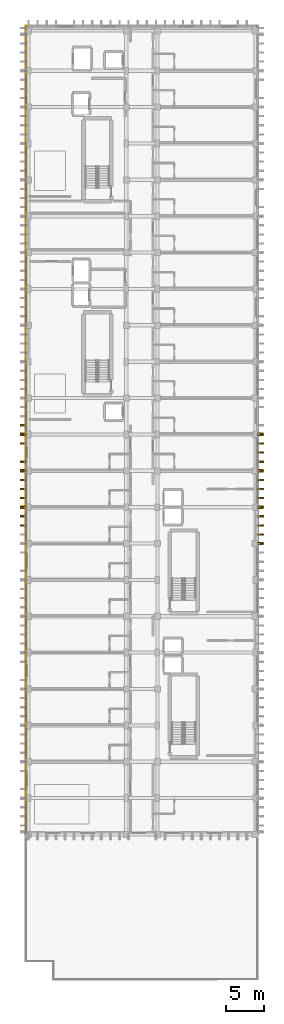
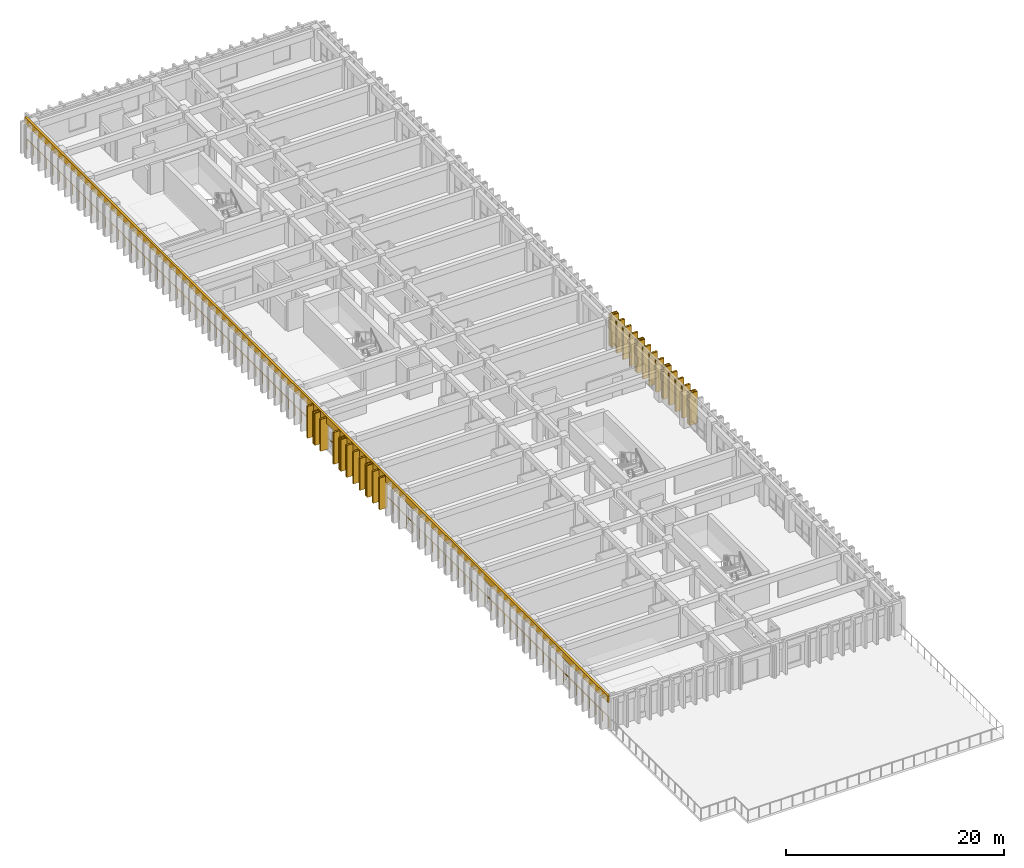
# One storey, part 76 of 82: 25 coverings, 24 shading devices, 1 railing.
"""IFC4 building model written with IfcOpenShell, lengths in metres."""

from ifc_helpers import new_model, si_unit, direction, frame, origin, origin_2d, place, context, subcontext, project, spatial, rectangle, circle, extrude, material, layer, layer_set, type_object, element, save


model = new_model("IFC4")

# Units and contexts
model_context = context("Model", 3, precision=1e-05, world=origin(), true_north=direction((0.0, 1.0)))
body_context = subcontext(model_context, "Body", "Model", "MODEL_VIEW")
ifc_project = project(units=[si_unit("LENGTHUNIT", "METRE"), si_unit("AREAUNIT", "SQUARE_METRE"), si_unit("VOLUMEUNIT", "CUBIC_METRE"), si_unit("PLANEANGLEUNIT", "RADIAN"), si_unit("MASSUNIT", "GRAM", prefix="KILO")], contexts=[model_context])

# Site, building, storey
site_placement = place(None, origin())
site = spatial("IfcSite", under=ifc_project, at=site_placement, CompositionType="ELEMENT")
building_placement = place(site_placement, origin())
building = spatial("IfcBuilding", under=site, at=building_placement, Name="Nakhvara Creek Congress Hotel", CompositionType="ELEMENT")
storey_placement = place(building_placement, frame((0.0, 0.0, 21.0)))
storey = spatial("IfcBuildingStorey", under=building, at=storey_placement, Name="L04", CompositionType="ELEMENT", Elevation=21.0)

# Coverings
ifc_material_1 = material(Name="Honed pale Omani limestone architectural cladding", Category="masonry")
ifc_layer_1 = layer(ifc_material_1, 0.219970703125)
ifc_layer_set_1 = layer_set([ifc_layer_1], Name="Honed pale Omani limestone architectural cladding")
covering_type_1 = type_object("IfcCoveringType", Name="COV-FIN-850", PredefinedType="CLADDING", material=ifc_layer_set_1)
covering_1_placement = place(storey_placement, frame((180.054931640625, 57.60009765625, 0.0), z_axis=(0.0, 0.0, 1.0), x_axis=(0.0, 1.0, 0.0)))
element("IfcCovering", 1, at=covering_1_placement, inside=storey, type_object=covering_type_1, Name="Pale Limestone Fin Cladding CF01-1262", PredefinedType="CLADDING", context=body_context, shape_type="SweptSolid", body=[
    extrude(rectangle(XDim=0.43994140625, YDim=0.85009765625, at=origin_2d()), origin(), (0.0, 0.0, 1.0), 3.56005859375),
])
for number, where, z_axis, x_axis, name in (
    (2, (180.054931640625, 58.800048828125, 0.0), (0.0, 0.0, 1.0), (0.0, 1.0, 0.0), "Pale Limestone Fin Cladding CF01-1264"),
    (3, (180.054931640625, 60.0, 0.0), (0.0, 0.0, 1.0), (0.0, 1.0, 0.0), "Pale Limestone Fin Cladding CF01-1266"),
    (4, (148.7451171875, 60.0, 0.0), (0.0, 0.0, 1.0), (0.0, 1.0, 0.0), "Pale Limestone Fin Cladding CF01-1267"),
    (5, (180.054931640625, 61.199951171875, 0.0), (0.0, 0.0, 1.0), (0.0, 1.0, 0.0), "Pale Limestone Fin Cladding CF01-1268"),
    (6, (148.7451171875, 61.199951171875, 0.0), (0.0, 0.0, 1.0), (0.0, 1.0, 0.0), "Pale Limestone Fin Cladding CF01-1269"),
):
    element("IfcCovering", number, at=place(storey_placement, frame(where, z_axis=z_axis, x_axis=x_axis)), inside=storey, type_object=covering_type_1, Name=name, PredefinedType="CLADDING", context=body_context, shape_type="SweptSolid", body=[
        extrude(rectangle(XDim=0.219970703125, YDim=0.85009765625, at=origin_2d()), origin(), (0.0, 0.0, 1.0), 3.56005859375),
    ])
for number, where, z_axis, x_axis, name in (
    (7, (180.054931640625, 62.39990234375, 0.0), (0.0, 0.0, 1.0), (0.0, 1.0, 0.0), "Pale Limestone Fin Cladding CF01-1270"),
    (8, (148.7451171875, 62.39990234375, 0.0), (0.0, 0.0, 1.0), (0.0, 1.0, 0.0), "Pale Limestone Fin Cladding CF01-1271"),
):
    element("IfcCovering", number, at=place(storey_placement, frame(where, z_axis=z_axis, x_axis=x_axis)), inside=storey, type_object=covering_type_1, Name=name, PredefinedType="CLADDING", context=body_context, shape_type="SweptSolid", body=[
        extrude(rectangle(XDim=0.43994140625, YDim=0.85009765625, at=origin_2d()), origin(), (0.0, 0.0, 1.0), 3.56005859375),
    ])
for number, where, z_axis, x_axis, name in (
    (9, (180.054931640625, 63.60009765625, 0.0), (0.0, 0.0, 1.0), (0.0, 1.0, 0.0), "Pale Limestone Fin Cladding CF01-1272"),
    (10, (148.7451171875, 63.60009765625, 0.0), (0.0, 0.0, 1.0), (0.0, 1.0, 0.0), "Pale Limestone Fin Cladding CF01-1273"),
    (11, (180.054931640625, 64.800048828125, 0.0), (0.0, 0.0, 1.0), (0.0, 1.0, 0.0), "Pale Limestone Fin Cladding CF01-1274"),
    (12, (148.7451171875, 64.800048828125, 0.0), (0.0, 0.0, 1.0), (0.0, 1.0, 0.0), "Pale Limestone Fin Cladding CF01-1275"),
    (13, (180.054931640625, 66.0, 0.0), (0.0, 0.0, 1.0), (0.0, 1.0, 0.0), "Pale Limestone Fin Cladding CF01-1276"),
    (14, (148.7451171875, 66.0, 0.0), (0.0, 0.0, 1.0), (0.0, 1.0, 0.0), "Pale Limestone Fin Cladding CF01-1277"),
):
    element("IfcCovering", number, at=place(storey_placement, frame(where, z_axis=z_axis, x_axis=x_axis)), inside=storey, type_object=covering_type_1, Name=name, PredefinedType="CLADDING", context=body_context, shape_type="SweptSolid", body=[
        extrude(rectangle(XDim=0.219970703125, YDim=0.85009765625, at=origin_2d()), origin(), (0.0, 0.0, 1.0), 3.56005859375),
    ])
for number, where, z_axis, x_axis, name in (
    (15, (180.054931640625, 67.199951171875, 0.0), (0.0, 0.0, 1.0), (0.0, 1.0, 0.0), "Pale Limestone Fin Cladding CF01-1278"),
    (16, (148.7451171875, 67.199951171875, 0.0), (0.0, 0.0, 1.0), (0.0, 1.0, 0.0), "Pale Limestone Fin Cladding CF01-1279"),
):
    element("IfcCovering", number, at=place(storey_placement, frame(where, z_axis=z_axis, x_axis=x_axis)), inside=storey, type_object=covering_type_1, Name=name, PredefinedType="CLADDING", context=body_context, shape_type="SweptSolid", body=[
        extrude(rectangle(XDim=0.43994140625, YDim=0.85009765625, at=origin_2d()), origin(), (0.0, 0.0, 1.0), 3.56005859375),
    ])
for number, where, z_axis, x_axis, name in (
    (17, (180.054931640625, 68.39990234375, 0.0), (0.0, 0.0, 1.0), (0.0, 1.0, 0.0), "Pale Limestone Fin Cladding CF01-1280"),
    (18, (148.7451171875, 68.39990234375, 0.0), (0.0, 0.0, 1.0), (0.0, 1.0, 0.0), "Pale Limestone Fin Cladding CF01-1281"),
    (19, (180.054931640625, 69.60009765625, 0.0), (0.0, 0.0, 1.0), (0.0, 1.0, 0.0), "Pale Limestone Fin Cladding CF01-1282"),
    (20, (180.054931640625, 70.800048828125, 0.0), (0.0, 0.0, 1.0), (0.0, 1.0, 0.0), "Pale Limestone Fin Cladding CF01-1283"),
    (21, (148.7451171875, 70.800048828125, 0.0), (0.0, 0.0, 1.0), (0.0, 1.0, 0.0), "Pale Limestone Fin Cladding CF01-1284"),
):
    element("IfcCovering", number, at=place(storey_placement, frame(where, z_axis=z_axis, x_axis=x_axis)), inside=storey, type_object=covering_type_1, Name=name, PredefinedType="CLADDING", context=body_context, shape_type="SweptSolid", body=[
        extrude(rectangle(XDim=0.219970703125, YDim=0.85009765625, at=origin_2d()), origin(), (0.0, 0.0, 1.0), 3.56005859375),
    ])
for number, where, z_axis, x_axis, name in (
    (22, (180.054931640625, 72.0, 0.0), (0.0, 0.0, 1.0), (0.0, 1.0, 0.0), "Pale Limestone Fin Cladding CF01-1285"),
    (23, (148.7451171875, 72.0, 0.0), (0.0, 0.0, 1.0), (0.0, 1.0, 0.0), "Pale Limestone Fin Cladding CF01-1286"),
):
    element("IfcCovering", number, at=place(storey_placement, frame(where, z_axis=z_axis, x_axis=x_axis)), inside=storey, type_object=covering_type_1, Name=name, PredefinedType="CLADDING", context=body_context, shape_type="SweptSolid", body=[
        extrude(rectangle(XDim=0.43994140625, YDim=0.85009765625, at=origin_2d()), origin(), (0.0, 0.0, 1.0), 3.56005859375),
    ])
covering_2_placement = place(storey_placement, frame((148.7451171875, 73.199951171875, 0.0), z_axis=(0.0, 0.0, 1.0), x_axis=(0.0, 1.0, 0.0)))
element("IfcCovering", 24, at=covering_2_placement, inside=storey, type_object=covering_type_1, Name="Pale Limestone Fin Cladding CF01-1288", PredefinedType="CLADDING", context=body_context, shape_type="SweptSolid", body=[
    extrude(rectangle(XDim=0.219970703125, YDim=0.85009765625, at=origin_2d()), origin(), (0.0, 0.0, 1.0), 3.56005859375),
])
ifc_layer_2 = layer(ifc_material_1, 0.179931640625)
ifc_layer_set_2 = layer_set([ifc_layer_2], Name="Honed pale Omani limestone architectural cladding")
covering_type_2 = type_object("IfcCoveringType", Name="COV-SPN-180", PredefinedType="CLADDING", material=ifc_layer_set_2)
covering_3_placement = place(storey_placement, frame((149.06005859375, 72.60009765625, 2.909912109375), z_axis=(0.0, 0.0, 1.0), x_axis=(0.0, 1.0, 0.0)))
element("IfcCovering", 25, at=covering_3_placement, inside=storey, type_object=covering_type_2, Name="Pale Limestone Spandrel Band CF02-0058", PredefinedType="CLADDING", context=body_context, shape_type="SweptSolid", body=[
    extrude(rectangle(XDim=106.800048828125, YDim=0.219970703125, at=origin_2d()), origin(), (0.0, 0.0, 1.0), 0.72998046875),
])

# Railing
ifc_material_2 = material(Name="Brushed stainless steel 316L", Category="steel")
railing_type = type_object("IfcRailingType", Name="RL-GUARD-1200", PredefinedType="GUARDRAIL", material=ifc_material_2)
railing_placement = place(storey_placement, frame((149.1298828125, 19.280029296875, 0.0)))
element("IfcRailing", 26, at=railing_placement, inside=storey, type_object=railing_type, Name="Perimeter Safety Rail West L04", PredefinedType="GUARDRAIL", context=body_context, shape_type="SweptSolid", body=[
    extrude(circle(Radius=0.02392578125, at=origin_2d()), frame((0.0, 0.0146484375, 1.17578125), z_axis=(0.0, 1.0, 0.0), x_axis=(-1.0, 0.0, 0.0)), (0.0, 0.0, 1.0), 106.610595703125),
    extrude(circle(Radius=0.02099609375, at=origin_2d()), origin(), (0.0, 0.0, 1.0), 1.1806640625),
    extrude(circle(Radius=0.02099609375, at=origin_2d()), frame((0.0, 1.1982421875, 0.0)), (0.0, 0.0, 1.0), 1.1806640625),
    extrude(circle(Radius=0.02099609375, at=origin_2d()), frame((0.0, 2.396484375, 0.0)), (0.0, 0.0, 1.0), 1.1806640625),
    extrude(circle(Radius=0.02099609375, at=origin_2d()), frame((0.0, 3.594482421875, 0.0)), (0.0, 0.0, 1.0), 1.1806640625),
    extrude(circle(Radius=0.02099609375, at=origin_2d()), frame((0.0, 4.792724609375, 0.0)), (0.0, 0.0, 1.0), 1.1806640625),
    extrude(circle(Radius=0.02099609375, at=origin_2d()), frame((0.0, 5.990966796875, 0.0)), (0.0, 0.0, 1.0), 1.1806640625),
    extrude(circle(Radius=0.02099609375, at=origin_2d()), frame((0.0, 7.189208984375, 0.0)), (0.0, 0.0, 1.0), 1.1806640625),
    extrude(circle(Radius=0.02099609375, at=origin_2d()), frame((0.0, 8.387451171875, 0.0)), (0.0, 0.0, 1.0), 1.1806640625),
    extrude(circle(Radius=0.02099609375, at=origin_2d()), frame((0.0, 9.585693359375, 0.0)), (0.0, 0.0, 1.0), 1.1806640625),
    extrude(circle(Radius=0.02099609375, at=origin_2d()), frame((0.0, 10.78369140625, 0.0)), (0.0, 0.0, 1.0), 1.1806640625),
    extrude(circle(Radius=0.02099609375, at=origin_2d()), frame((0.0, 11.98193359375, 0.0)), (0.0, 0.0, 1.0), 1.1806640625),
    extrude(circle(Radius=0.02099609375, at=origin_2d()), frame((0.0, 13.18017578125, 0.0)), (0.0, 0.0, 1.0), 1.1806640625),
    extrude(circle(Radius=0.02099609375, at=origin_2d()), frame((0.0, 14.37841796875, 0.0)), (0.0, 0.0, 1.0), 1.1806640625),
    extrude(circle(Radius=0.02099609375, at=origin_2d()), frame((0.0, 15.57666015625, 0.0)), (0.0, 0.0, 1.0), 1.1806640625),
    extrude(circle(Radius=0.02099609375, at=origin_2d()), frame((0.0, 16.77490234375, 0.0)), (0.0, 0.0, 1.0), 1.1806640625),
    extrude(circle(Radius=0.02099609375, at=origin_2d()), frame((0.0, 17.972900390625, 0.0)), (0.0, 0.0, 1.0), 1.1806640625),
    extrude(circle(Radius=0.02099609375, at=origin_2d()), frame((0.0, 19.171142578125, 0.0)), (0.0, 0.0, 1.0), 1.1806640625),
    extrude(circle(Radius=0.02099609375, at=origin_2d()), frame((0.0, 20.369384765625, 0.0)), (0.0, 0.0, 1.0), 1.1806640625),
    extrude(circle(Radius=0.02099609375, at=origin_2d()), frame((0.0, 21.567626953125, 0.0)), (0.0, 0.0, 1.0), 1.1806640625),
    extrude(circle(Radius=0.02099609375, at=origin_2d()), frame((0.0, 22.765869140625, 0.0)), (0.0, 0.0, 1.0), 1.1806640625),
    extrude(circle(Radius=0.02099609375, at=origin_2d()), frame((0.0, 23.964111328125, 0.0)), (0.0, 0.0, 1.0), 1.1806640625),
    extrude(circle(Radius=0.02099609375, at=origin_2d()), frame((0.0, 25.162109375, 0.0)), (0.0, 0.0, 1.0), 1.1806640625),
    extrude(circle(Radius=0.02099609375, at=origin_2d()), frame((0.0, 26.3603515625, 0.0)), (0.0, 0.0, 1.0), 1.1806640625),
    extrude(circle(Radius=0.02099609375, at=origin_2d()), frame((0.0, 27.55859375, 0.0)), (0.0, 0.0, 1.0), 1.1806640625),
    extrude(circle(Radius=0.02099609375, at=origin_2d()), frame((0.0, 28.7568359375, 0.0)), (0.0, 0.0, 1.0), 1.1806640625),
    extrude(circle(Radius=0.02099609375, at=origin_2d()), frame((0.0, 29.955078125, 0.0)), (0.0, 0.0, 1.0), 1.1806640625),
    extrude(circle(Radius=0.02099609375, at=origin_2d()), frame((0.0, 31.1533203125, 0.0)), (0.0, 0.0, 1.0), 1.1806640625),
    extrude(circle(Radius=0.02099609375, at=origin_2d()), frame((0.0, 32.351318359375, 0.0)), (0.0, 0.0, 1.0), 1.1806640625),
    extrude(circle(Radius=0.02099609375, at=origin_2d()), frame((0.0, 33.549560546875, 0.0)), (0.0, 0.0, 1.0), 1.1806640625),
    extrude(circle(Radius=0.02099609375, at=origin_2d()), frame((0.0, 34.747802734375, 0.0)), (0.0, 0.0, 1.0), 1.1806640625),
    extrude(circle(Radius=0.02099609375, at=origin_2d()), frame((0.0, 35.946044921875, 0.0)), (0.0, 0.0, 1.0), 1.1806640625),
    extrude(circle(Radius=0.02099609375, at=origin_2d()), frame((0.0, 37.144287109375, 0.0)), (0.0, 0.0, 1.0), 1.1806640625),
    extrude(circle(Radius=0.02099609375, at=origin_2d()), frame((0.0, 38.342529296875, 0.0)), (0.0, 0.0, 1.0), 1.1806640625),
    extrude(circle(Radius=0.02099609375, at=origin_2d()), frame((0.0, 39.54052734375, 0.0)), (0.0, 0.0, 1.0), 1.1806640625),
    extrude(circle(Radius=0.02099609375, at=origin_2d()), frame((0.0, 40.73876953125, 0.0)), (0.0, 0.0, 1.0), 1.1806640625),
    extrude(circle(Radius=0.02099609375, at=origin_2d()), frame((0.0, 41.93701171875, 0.0)), (0.0, 0.0, 1.0), 1.1806640625),
    extrude(circle(Radius=0.02099609375, at=origin_2d()), frame((0.0, 43.13525390625, 0.0)), (0.0, 0.0, 1.0), 1.1806640625),
    extrude(circle(Radius=0.02099609375, at=origin_2d()), frame((0.0, 44.33349609375, 0.0)), (0.0, 0.0, 1.0), 1.1806640625),
    extrude(circle(Radius=0.02099609375, at=origin_2d()), frame((0.0, 45.53173828125, 0.0)), (0.0, 0.0, 1.0), 1.1806640625),
    extrude(circle(Radius=0.02099609375, at=origin_2d()), frame((0.0, 46.729736328125, 0.0)), (0.0, 0.0, 1.0), 1.1806640625),
    extrude(circle(Radius=0.02099609375, at=origin_2d()), frame((0.0, 47.927978515625, 0.0)), (0.0, 0.0, 1.0), 1.1806640625),
    extrude(circle(Radius=0.02099609375, at=origin_2d()), frame((0.0, 49.126220703125, 0.0)), (0.0, 0.0, 1.0), 1.1806640625),
    extrude(circle(Radius=0.02099609375, at=origin_2d()), frame((0.0, 50.324462890625, 0.0)), (0.0, 0.0, 1.0), 1.1806640625),
    extrude(circle(Radius=0.02099609375, at=origin_2d()), frame((0.0, 51.522705078125, 0.0)), (0.0, 0.0, 1.0), 1.1806640625),
    extrude(circle(Radius=0.02099609375, at=origin_2d()), frame((0.0, 52.720947265625, 0.0)), (0.0, 0.0, 1.0), 1.1806640625),
    extrude(circle(Radius=0.02099609375, at=origin_2d()), frame((0.0, 53.9189453125, 0.0)), (0.0, 0.0, 1.0), 1.1806640625),
    extrude(circle(Radius=0.02099609375, at=origin_2d()), frame((0.0, 55.1171875, 0.0)), (0.0, 0.0, 1.0), 1.1806640625),
    extrude(circle(Radius=0.02099609375, at=origin_2d()), frame((0.0, 56.3154296875, 0.0)), (0.0, 0.0, 1.0), 1.1806640625),
    extrude(circle(Radius=0.02099609375, at=origin_2d()), frame((0.0, 57.513671875, 0.0)), (0.0, 0.0, 1.0), 1.1806640625),
    extrude(circle(Radius=0.02099609375, at=origin_2d()), frame((0.0, 58.7119140625, 0.0)), (0.0, 0.0, 1.0), 1.1806640625),
    extrude(circle(Radius=0.02099609375, at=origin_2d()), frame((0.0, 59.91015625, 0.0)), (0.0, 0.0, 1.0), 1.1806640625),
    extrude(circle(Radius=0.02099609375, at=origin_2d()), frame((0.0, 61.108154296875, 0.0)), (0.0, 0.0, 1.0), 1.1806640625),
    extrude(circle(Radius=0.02099609375, at=origin_2d()), frame((0.0, 62.306396484375, 0.0)), (0.0, 0.0, 1.0), 1.1806640625),
    extrude(circle(Radius=0.02099609375, at=origin_2d()), frame((0.0, 63.504638671875, 0.0)), (0.0, 0.0, 1.0), 1.1806640625),
    extrude(circle(Radius=0.02099609375, at=origin_2d()), frame((0.0, 64.702880859375, 0.0)), (0.0, 0.0, 1.0), 1.1806640625),
    extrude(circle(Radius=0.02099609375, at=origin_2d()), frame((0.0, 65.901123046875, 0.0)), (0.0, 0.0, 1.0), 1.1806640625),
    extrude(circle(Radius=0.02099609375, at=origin_2d()), frame((0.0, 67.099365234375, 0.0)), (0.0, 0.0, 1.0), 1.1806640625),
    extrude(circle(Radius=0.02099609375, at=origin_2d()), frame((0.0, 68.29736328125, 0.0)), (0.0, 0.0, 1.0), 1.1806640625),
    extrude(circle(Radius=0.02099609375, at=origin_2d()), frame((0.0, 69.49560546875, 0.0)), (0.0, 0.0, 1.0), 1.1806640625),
    extrude(circle(Radius=0.02099609375, at=origin_2d()), frame((0.0, 70.69384765625, 0.0)), (0.0, 0.0, 1.0), 1.1806640625),
    extrude(circle(Radius=0.02099609375, at=origin_2d()), frame((0.0, 71.89208984375, 0.0)), (0.0, 0.0, 1.0), 1.1806640625),
    extrude(circle(Radius=0.02099609375, at=origin_2d()), frame((0.0, 73.09033203125, 0.0)), (0.0, 0.0, 1.0), 1.1806640625),
    extrude(circle(Radius=0.02099609375, at=origin_2d()), frame((0.0, 74.28857421875, 0.0)), (0.0, 0.0, 1.0), 1.1806640625),
    extrude(circle(Radius=0.02099609375, at=origin_2d()), frame((0.0, 75.486572265625, 0.0)), (0.0, 0.0, 1.0), 1.1806640625),
    extrude(circle(Radius=0.02099609375, at=origin_2d()), frame((0.0, 76.684814453125, 0.0)), (0.0, 0.0, 1.0), 1.1806640625),
    extrude(circle(Radius=0.02099609375, at=origin_2d()), frame((0.0, 77.883056640625, 0.0)), (0.0, 0.0, 1.0), 1.1806640625),
    extrude(circle(Radius=0.02099609375, at=origin_2d()), frame((0.0, 79.081298828125, 0.0)), (0.0, 0.0, 1.0), 1.1806640625),
    extrude(circle(Radius=0.02099609375, at=origin_2d()), frame((0.0, 80.279541015625, 0.0)), (0.0, 0.0, 1.0), 1.1806640625),
    extrude(circle(Radius=0.02099609375, at=origin_2d()), frame((0.0, 81.477783203125, 0.0)), (0.0, 0.0, 1.0), 1.1806640625),
    extrude(circle(Radius=0.02099609375, at=origin_2d()), frame((0.0, 82.67578125, 0.0)), (0.0, 0.0, 1.0), 1.1806640625),
    extrude(circle(Radius=0.02099609375, at=origin_2d()), frame((0.0, 83.8740234375, 0.0)), (0.0, 0.0, 1.0), 1.1806640625),
    extrude(circle(Radius=0.02099609375, at=origin_2d()), frame((0.0, 85.072265625, 0.0)), (0.0, 0.0, 1.0), 1.1806640625),
    extrude(circle(Radius=0.02099609375, at=origin_2d()), frame((0.0, 86.2705078125, 0.0)), (0.0, 0.0, 1.0), 1.1806640625),
    extrude(circle(Radius=0.02099609375, at=origin_2d()), frame((0.0, 87.46875, 0.0)), (0.0, 0.0, 1.0), 1.1806640625),
    extrude(circle(Radius=0.02099609375, at=origin_2d()), frame((0.0, 88.6669921875, 0.0)), (0.0, 0.0, 1.0), 1.1806640625),
    extrude(circle(Radius=0.02099609375, at=origin_2d()), frame((0.0, 89.864990234375, 0.0)), (0.0, 0.0, 1.0), 1.1806640625),
    extrude(circle(Radius=0.02099609375, at=origin_2d()), frame((0.0, 91.063232421875, 0.0)), (0.0, 0.0, 1.0), 1.1806640625),
    extrude(circle(Radius=0.02099609375, at=origin_2d()), frame((0.0, 92.261474609375, 0.0)), (0.0, 0.0, 1.0), 1.1806640625),
    extrude(circle(Radius=0.02099609375, at=origin_2d()), frame((0.0, 93.459716796875, 0.0)), (0.0, 0.0, 1.0), 1.1806640625),
    extrude(circle(Radius=0.02099609375, at=origin_2d()), frame((0.0, 94.657958984375, 0.0)), (0.0, 0.0, 1.0), 1.1806640625),
    extrude(circle(Radius=0.02099609375, at=origin_2d()), frame((0.0, 95.856201171875, 0.0)), (0.0, 0.0, 1.0), 1.1806640625),
    extrude(circle(Radius=0.02099609375, at=origin_2d()), frame((0.0, 97.05419921875, 0.0)), (0.0, 0.0, 1.0), 1.1806640625),
    extrude(circle(Radius=0.02099609375, at=origin_2d()), frame((0.0, 98.25244140625, 0.0)), (0.0, 0.0, 1.0), 1.1806640625),
    extrude(circle(Radius=0.02099609375, at=origin_2d()), frame((0.0, 99.45068359375, 0.0)), (0.0, 0.0, 1.0), 1.1806640625),
    extrude(circle(Radius=0.02099609375, at=origin_2d()), frame((0.0, 100.64892578125, 0.0)), (0.0, 0.0, 1.0), 1.1806640625),
    extrude(circle(Radius=0.02099609375, at=origin_2d()), frame((0.0, 101.84716796875, 0.0)), (0.0, 0.0, 1.0), 1.1806640625),
    extrude(circle(Radius=0.02099609375, at=origin_2d()), frame((0.0, 103.04541015625, 0.0)), (0.0, 0.0, 1.0), 1.1806640625),
    extrude(circle(Radius=0.02099609375, at=origin_2d()), frame((0.0, 104.243408203125, 0.0)), (0.0, 0.0, 1.0), 1.1806640625),
    extrude(circle(Radius=0.02099609375, at=origin_2d()), frame((0.0, 105.441650390625, 0.0)), (0.0, 0.0, 1.0), 1.1806640625),
    extrude(circle(Radius=0.02099609375, at=origin_2d()), frame((0.0, 106.639892578125, 0.0)), (0.0, 0.0, 1.0), 1.1806640625),
])

# Shading devices
ifc_material_3 = material(Name="Honed pale Omani limestone cladding on stainless steel spine", Category="masonry")
shading_device_type = type_object("IfcShadingDeviceType", Name="SHD-FIN-850X3600", PredefinedType="USERDEFINED", material=ifc_material_3)
for number, where, z_axis, x_axis, name in (
    (27, (180.054931640625, 57.60009765625, 0.0), (0.0, 0.0, 1.0), (0.0, 1.0, 0.0), "Limestone Solar Fin FN01-1127"),
    (28, (180.054931640625, 58.800048828125, 0.0), (0.0, 0.0, 1.0), (0.0, 1.0, 0.0), "Limestone Solar Fin FN01-1129"),
    (29, (180.054931640625, 60.0, 0.0), (0.0, 0.0, 1.0), (0.0, 1.0, 0.0), "Limestone Solar Fin FN01-1131"),
    (30, (148.7451171875, 60.0, 0.0), (0.0, 0.0, 1.0), (0.0, 1.0, 0.0), "Limestone Solar Fin FN01-1132"),
    (31, (180.054931640625, 61.199951171875, 0.0), (0.0, 0.0, 1.0), (0.0, 1.0, 0.0), "Limestone Solar Fin FN01-1133"),
    (32, (148.7451171875, 61.199951171875, 0.0), (0.0, 0.0, 1.0), (0.0, 1.0, 0.0), "Limestone Solar Fin FN01-1134"),
    (33, (180.054931640625, 62.39990234375, 0.0), (0.0, 0.0, 1.0), (0.0, 1.0, 0.0), "Limestone Solar Fin FN01-1135"),
    (34, (148.7451171875, 62.39990234375, 0.0), (0.0, 0.0, 1.0), (0.0, 1.0, 0.0), "Limestone Solar Fin FN01-1136"),
    (35, (180.054931640625, 63.60009765625, 0.0), (0.0, 0.0, 1.0), (0.0, 1.0, 0.0), "Limestone Solar Fin FN01-1137"),
    (36, (148.7451171875, 63.60009765625, 0.0), (0.0, 0.0, 1.0), (0.0, 1.0, 0.0), "Limestone Solar Fin FN01-1138"),
    (37, (180.054931640625, 64.800048828125, 0.0), (0.0, 0.0, 1.0), (0.0, 1.0, 0.0), "Limestone Solar Fin FN01-1139"),
    (38, (148.7451171875, 64.800048828125, 0.0), (0.0, 0.0, 1.0), (0.0, 1.0, 0.0), "Limestone Solar Fin FN01-1140"),
    (39, (180.054931640625, 66.0, 0.0), (0.0, 0.0, 1.0), (0.0, 1.0, 0.0), "Limestone Solar Fin FN01-1141"),
    (40, (148.7451171875, 66.0, 0.0), (0.0, 0.0, 1.0), (0.0, 1.0, 0.0), "Limestone Solar Fin FN01-1142"),
    (41, (180.054931640625, 67.199951171875, 0.0), (0.0, 0.0, 1.0), (0.0, 1.0, 0.0), "Limestone Solar Fin FN01-1143"),
    (42, (148.7451171875, 67.199951171875, 0.0), (0.0, 0.0, 1.0), (0.0, 1.0, 0.0), "Limestone Solar Fin FN01-1144"),
    (43, (180.054931640625, 68.39990234375, 0.0), (0.0, 0.0, 1.0), (0.0, 1.0, 0.0), "Limestone Solar Fin FN01-1145"),
    (44, (148.7451171875, 68.39990234375, 0.0), (0.0, 0.0, 1.0), (0.0, 1.0, 0.0), "Limestone Solar Fin FN01-1146"),
    (45, (180.054931640625, 69.60009765625, 0.0), (0.0, 0.0, 1.0), (0.0, 1.0, 0.0), "Limestone Solar Fin FN01-1147"),
    (46, (180.054931640625, 70.800048828125, 0.0), (0.0, 0.0, 1.0), (0.0, 1.0, 0.0), "Limestone Solar Fin FN01-1148"),
    (47, (148.7451171875, 70.800048828125, 0.0), (0.0, 0.0, 1.0), (0.0, 1.0, 0.0), "Limestone Solar Fin FN01-1149"),
    (48, (180.054931640625, 72.0, 0.0), (0.0, 0.0, 1.0), (0.0, 1.0, 0.0), "Limestone Solar Fin FN01-1150"),
    (49, (148.7451171875, 72.0, 0.0), (0.0, 0.0, 1.0), (0.0, 1.0, 0.0), "Limestone Solar Fin FN01-1151"),
    (50, (148.7451171875, 73.199951171875, 0.0), (0.0, 0.0, 1.0), (0.0, 1.0, 0.0), "Limestone Solar Fin FN01-1153"),
):
    element("IfcShadingDevice", number, at=place(storey_placement, frame(where, z_axis=z_axis, x_axis=x_axis)), inside=storey, type_object=shading_device_type, Name=name, ObjectType="FIN", PredefinedType="USERDEFINED", context=body_context, shape_type="SweptSolid", body=[
        extrude(rectangle(XDim=0.179931640625, YDim=0.85009765625, at=origin_2d()), origin(), (0.0, 0.0, 1.0), 3.56005859375),
    ])

save(model, "model.ifc")
